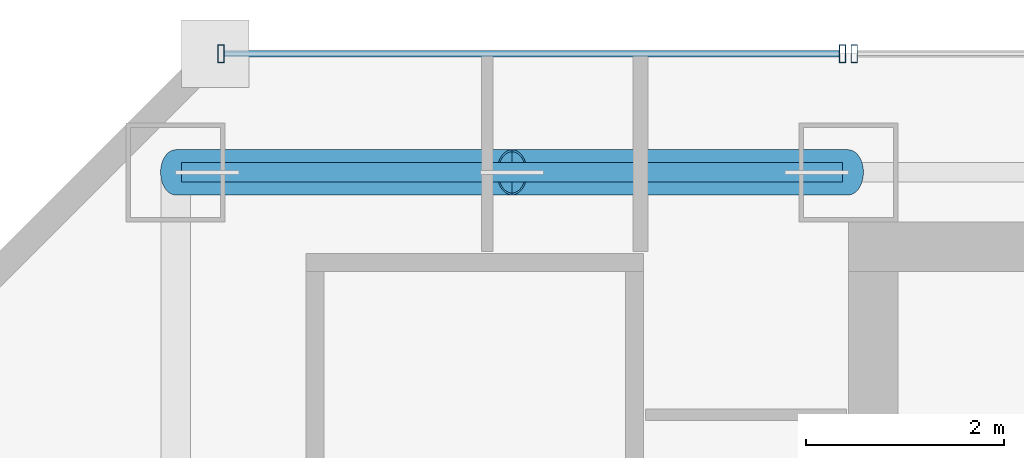
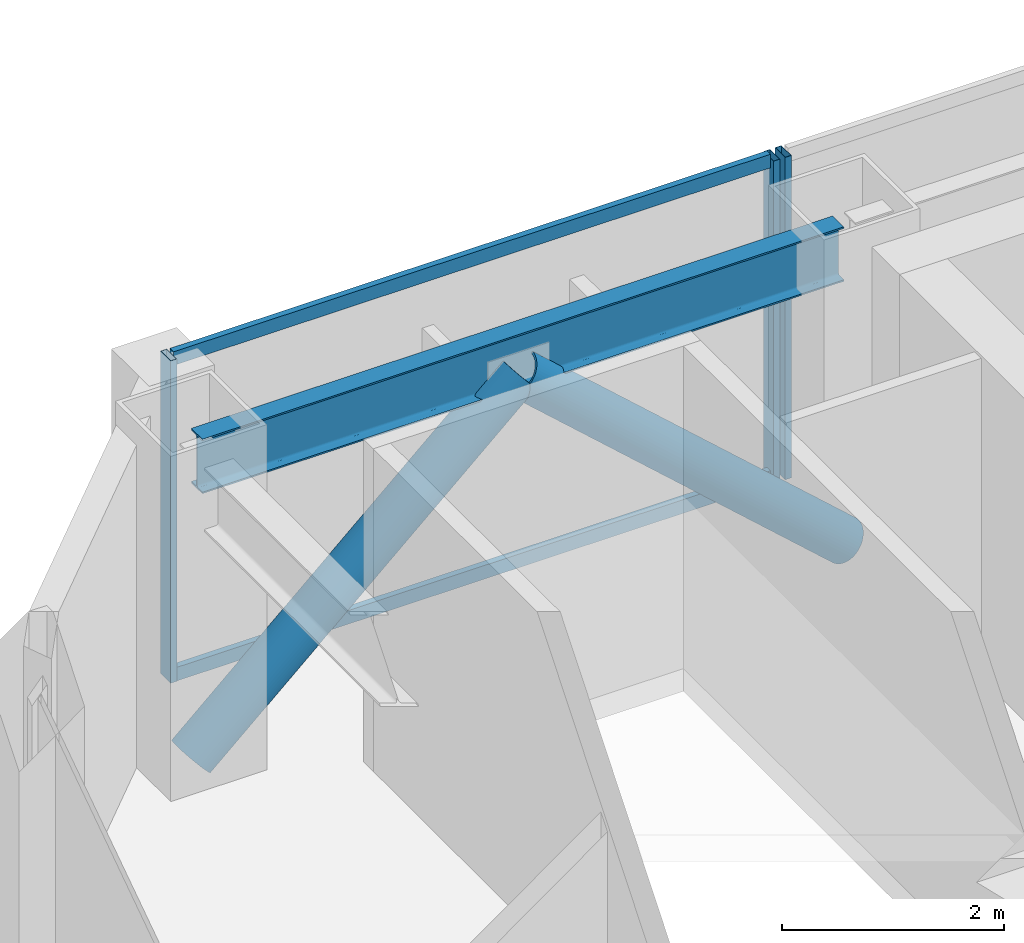
# One storey, part 22 of 36: 7 members, 1 beam, 2 elements without a shape of their own.
"""IFC4 building model written with IfcOpenShell, lengths in metres."""

from ifc_helpers import new_model, si_unit, direction, frame, origin, origin_2d, place, context, subcontext, project, spatial, hollow_rectangle, hollow_circle, i_section, extrude, material, material_profile, profile_set, type_object, element, aggregate, save


model = new_model("IFC4")

# Units and contexts
model_context = context("Model", 3, precision=1e-05, world=origin(), true_north=direction((0.0, 1.0)))
body_context = subcontext(model_context, "Body", "Model", "MODEL_VIEW")
ifc_project = project(units=[si_unit("LENGTHUNIT", "METRE"), si_unit("AREAUNIT", "SQUARE_METRE"), si_unit("VOLUMEUNIT", "CUBIC_METRE"), si_unit("PLANEANGLEUNIT", "RADIAN"), si_unit("MASSUNIT", "GRAM", prefix="KILO")], contexts=[model_context])

# Site, building, storey
site_placement = place(None, origin())
site = spatial("IfcSite", under=ifc_project, at=site_placement, CompositionType="ELEMENT")
building_placement = place(site_placement, origin())
building = spatial("IfcBuilding", under=site, at=building_placement, Name="Saevonmaru Cultural Tower", CompositionType="ELEMENT")
storey_placement = place(building_placement, frame((0.0, 0.0, 171.39990234375)))
storey = spatial("IfcBuildingStorey", under=building, at=storey_placement, Name="L38", CompositionType="ELEMENT", Elevation=171.39990234375)

# Beam
ifc_material_1 = material(Name="Steel SM355", Category="steel")
ifc_material_profile_1 = material_profile(ifc_material_1, i_section(OverallWidth=0.199951171875, OverallDepth=0.60009765625, WebThickness=0.010986328125, FlangeThickness=0.01708984375, FilletRadius=0.02197265625, at=origin_2d()), Name="H-600x200x11x17")
ifc_profile_set_1 = profile_set([ifc_material_profile_1], Name="Steel SM355")
beam_type = type_object("IfcBeamType", Name="BM-SP-H600", PredefinedType="SPANDREL", material=ifc_profile_set_1)
beam_placement = place(storey_placement, frame((6.860107421875, 54.800048828125, 3.25), z_axis=(1.0, 0.0, 0.0), x_axis=(0.0, 1.0, 0.0)))
element("IfcBeam", 1, at=beam_placement, inside=storey, type_object=beam_type, Name="L38 North Spine Girder 1", PredefinedType="SPANDREL", context=body_context, shape_type="SweptSolid", body=[
    extrude(i_section(OverallWidth=0.199951171875, OverallDepth=0.60009765625, WebThickness=0.010986328125, FlangeThickness=0.01708984375, FilletRadius=0.02197265625, at=origin_2d()), origin(), (0.0, 0.0, 1.0), 6.679931640625),
])

# Members
ifc_material_2 = material(Name="Steel SM420", Category="steel")
ifc_material_profile_2 = material_profile(ifc_material_2, hollow_circle(Radius=0.228515625, WallThickness=0.02001953125, at=origin_2d()), Name="CHS-457.2x20")
ifc_profile_set_2 = profile_set([ifc_material_profile_2], Name="Steel SM420")
member_type_1 = type_object("IfcMemberType", Name="MB-PBR-CHS457", PredefinedType="BRACE", material=ifc_profile_set_2)
for number, where, z_axis, x_axis, name in (
    (2, (6.800048828125, 54.800048828125, 0.02001953125), (0.744366945704, 0.0, 0.667770806597), (0.0, 1.0, 0.0), "L38 Perimeter Braced-Tube Diagonal WN1"),
    (3, (13.60009765625, 54.800048828125, 0.02001953125), (-0.744390779303, 0.0, 0.66774423823), (0.0, -1.0, 0.0), "L38 Perimeter Braced-Tube Diagonal WN2"),
):
    element("IfcMember", number, at=place(storey_placement, frame(where, z_axis=z_axis, x_axis=x_axis)), inside=storey, type_object=member_type_1, Name=name, PredefinedType="BRACE", context=body_context, shape_type="SweptSolid", body=[
        extrude(hollow_circle(Radius=0.228515625, WallThickness=0.02001953125, at=origin_2d()), origin(), (0.0, 0.0, 1.0), 4.567626953125),
    ])

# Curtain wall, member
ifc_material_3 = material(Name="Satin Bronze Anodised Aluminium", Category="aluminium")
curtain_wall_type = type_object("IfcCurtainWallType", Name="CW-TYP-A", PredefinedType="NOTDEFINED", material=ifc_material_3)
curtain_wall_1_placement = place(storey_placement, origin())
curtain_wall_1 = element("IfcCurtainWall", 4, at=curtain_wall_1_placement, inside=storey, type_object=curtain_wall_type, Name="L38 North Spine Unitised Curtain Wall E10B", PredefinedType="NOTDEFINED")
ifc_material_profile_3 = material_profile(ifc_material_3, hollow_rectangle(XDim=0.06494140625, YDim=0.179931640625, WallThickness=0.00390625, at=origin_2d()), Name="ALU-MULL-180x65x4")
ifc_profile_set_3 = profile_set([ifc_material_profile_3], Name="Satin Bronze Anodised Aluminium")
member_type_2 = type_object("IfcMemberType", Name="ML-CW-180x65", PredefinedType="MULLION", material=ifc_profile_set_3)
member_1_placement = place(storey_placement, frame((13.659912109375, 56.0, 0.0), z_axis=(0.0, 0.0, 1.0), x_axis=(-1.0, 0.0, 0.0)))
member_1 = element("IfcMember", 5, at=member_1_placement, type_object=member_type_2, Name="CW-TW-L38-E10B mullion 4", PredefinedType="MULLION", context=body_context, shape_type="SweptSolid", body=[
    extrude(hollow_rectangle(XDim=0.06494140625, YDim=0.179931640625, WallThickness=0.00390625, at=origin_2d()), origin(), (0.0, 0.0, 1.0), 3.550048828125),
])
aggregate(curtain_wall_1, [member_1])

# Curtain wall, members
curtain_wall_2_placement = place(storey_placement, origin())
curtain_wall_2 = element("IfcCurtainWall", 6, at=curtain_wall_2_placement, inside=storey, type_object=curtain_wall_type, Name="L38 West Braced Bay Spandrel Curtain Wall E10C", PredefinedType="NOTDEFINED")
member_2_placement = place(storey_placement, frame((13.5400390625, 56.0, 0.0), z_axis=(0.0, 0.0, 1.0), x_axis=(-1.0, 0.0, 0.0)))
member_2 = element("IfcMember", 7, at=member_2_placement, type_object=member_type_2, Name="CW-TW-L38-E10C mullion 1", PredefinedType="MULLION", context=body_context, shape_type="SweptSolid", body=[
    extrude(hollow_rectangle(XDim=0.06494140625, YDim=0.179931640625, WallThickness=0.00390625, at=origin_2d()), origin(), (0.0, 0.0, 1.0), 3.550048828125),
])
member_3_placement = place(storey_placement, frame((7.260009765625, 56.0, 0.0), z_axis=(0.0, 0.0, 1.0), x_axis=(-1.0, 0.0, 0.0)))
member_3 = element("IfcMember", 8, at=member_3_placement, type_object=member_type_2, Name="CW-TW-L38-E10C mullion 2", PredefinedType="MULLION", context=body_context, shape_type="SweptSolid", body=[
    extrude(hollow_rectangle(XDim=0.06494140625, YDim=0.179931640625, WallThickness=0.00390625, at=origin_2d()), origin(), (0.0, 0.0, 1.0), 3.550048828125),
])
ifc_material_profile_4 = material_profile(ifc_material_3, hollow_rectangle(XDim=0.06494140625, YDim=0.14990234375, WallThickness=0.00390625, at=origin_2d()), Name="ALU-TRAN-150x65x4")
ifc_profile_set_4 = profile_set([ifc_material_profile_4], Name="Satin Bronze Anodised Aluminium")
member_type_3 = type_object("IfcMemberType", Name="TR-CW-150x65", PredefinedType="USERDEFINED", material=ifc_profile_set_4)
member_4_placement = place(storey_placement, frame((13.507568359375, 56.0, 0.03271484375), z_axis=(-1.0, 0.0, 0.0), x_axis=(0.0, -1.0, 0.0)))
member_4 = element("IfcMember", 9, at=member_4_placement, type_object=member_type_3, Name="CW-TW-L38-E10C transom 1.1", ObjectType="TRANSOM", PredefinedType="USERDEFINED", context=body_context, shape_type="SweptSolid", body=[
    extrude(hollow_rectangle(XDim=0.06494140625, YDim=0.14990234375, WallThickness=0.00390625, at=origin_2d()), origin(), (0.0, 0.0, 1.0), 6.215087890625),
])
member_5_placement = place(storey_placement, frame((13.507568359375, 56.0, 3.517578125), z_axis=(-1.0, 0.0, 0.0), x_axis=(0.0, -1.0, 0.0)))
member_5 = element("IfcMember", 10, at=member_5_placement, type_object=member_type_3, Name="CW-TW-L38-E10C transom 1.2", ObjectType="TRANSOM", PredefinedType="USERDEFINED", context=body_context, shape_type="SweptSolid", body=[
    extrude(hollow_rectangle(XDim=0.06494140625, YDim=0.14990234375, WallThickness=0.00390625, at=origin_2d()), origin(), (0.0, 0.0, 1.0), 6.215087890625),
])
aggregate(curtain_wall_2, [member_2, member_3, member_4, member_5])

save(model, "model.ifc")
